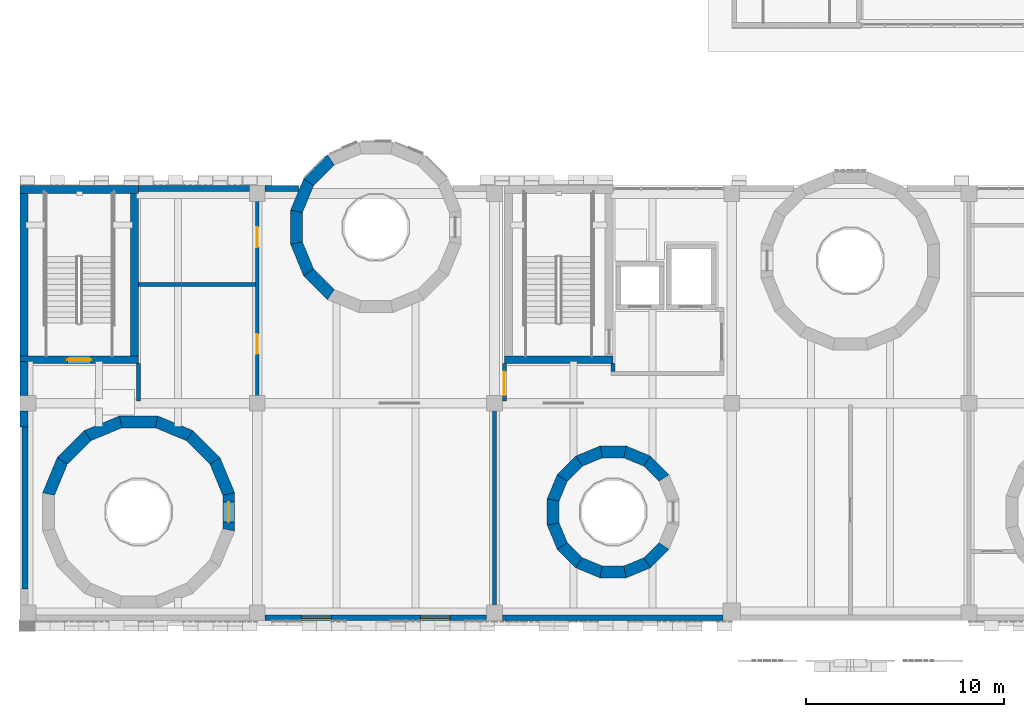
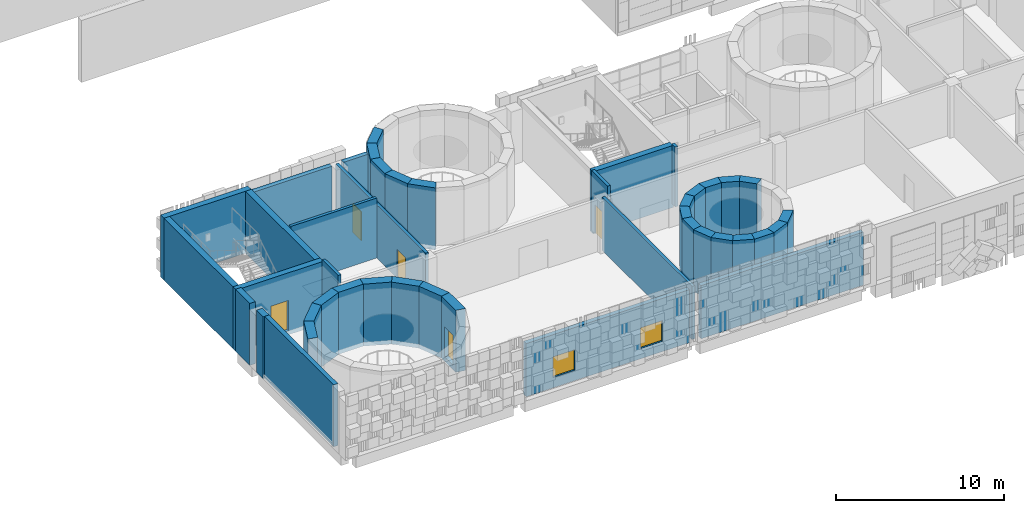
# One storey, part 46 of 92: 44 walls, 5 doors, 2 windows, 7 openings.
"""IFC4 building model written with IfcOpenShell, lengths in metres."""

from ifc_helpers import new_model, si_unit, direction, frame, frame_2d, origin, place, context, subcontext, project, spatial, polyline, rectangle, outline, extrude, material, layer, layer_set, type_object, element, fill, save


model = new_model("IFC4")

# Units and contexts
model_context = context("Model", 3, precision=1e-05, world=origin(), true_north=direction((0.0, 1.0)))
body_context = subcontext(model_context, "Body", "Model", "MODEL_VIEW")
ifc_project = project(units=[si_unit("LENGTHUNIT", "METRE"), si_unit("AREAUNIT", "SQUARE_METRE"), si_unit("VOLUMEUNIT", "CUBIC_METRE"), si_unit("PLANEANGLEUNIT", "RADIAN"), si_unit("MASSUNIT", "GRAM", prefix="KILO")], contexts=[model_context])

# Site, building, storey
site_placement = place(None, origin())
site = spatial("IfcSite", under=ifc_project, at=site_placement, CompositionType="ELEMENT")
building_placement = place(site_placement, origin())
building = spatial("IfcBuilding", under=site, at=building_placement, Name="Sun Court Science Centre", CompositionType="ELEMENT")
storey_placement = place(building_placement, frame((0.0, 0.0, 11.25)))
storey = spatial("IfcBuildingStorey", under=building, at=storey_placement, Name="L02", CompositionType="ELEMENT", Elevation=11.25)

# Wall
ifc_material_1 = material(Name="Clay masonry", Category="masonry")
ifc_layer_1 = layer(ifc_material_1, 0.300048828125)
ifc_layer_set_1 = layer_set([ifc_layer_1], Name="Clay masonry")
wall_type_1 = type_object("IfcWallType", Name="Clay masonry infill wall 300", PredefinedType="SOLIDWALL", material=ifc_layer_set_1)
wall_1_placement = place(storey_placement, frame((35.550048828125, 6.14990234375, 0.0), z_axis=(0.0, 0.0, 1.0), x_axis=(-1.0, 0.0, 0.0)))
element("IfcWall", 1, at=wall_1_placement, inside=storey, type_object=wall_type_1, Name="External infill wall L02 south face 04", PredefinedType="SOLIDWALL", context=body_context, shape_type="SweptSolid", body=[
    extrude(rectangle(XDim=11.150146484375, YDim=0.300048828125, at=frame_2d((5.5751953125, 0.0))), origin(), (0.0, 0.0, 1.0), 3.860107421875),
])

# Wall, openings, windows
wall_2_placement = place(storey_placement, frame((23.60009765625, 6.14990234375, 0.0), z_axis=(0.0, 0.0, 1.0), x_axis=(-1.0, 0.0, 0.0)))
wall_2 = element("IfcWall", 2, at=wall_2_placement, inside=storey, type_object=wall_type_1, Name="External infill wall L02 south face 05", PredefinedType="SOLIDWALL", context=body_context, shape_type="SweptSolid", body=[
    extrude(rectangle(XDim=11.2001953125, YDim=0.300048828125, at=frame_2d((5.60009765625, 0.0))), origin(), (0.0, 0.0, 1.0), 3.860107421875),
])
opening_1_placement = place(wall_2_placement, frame((7.85009765625, 0.0, 0.75)))
opening_1 = element("IfcOpeningElement", 3, at=opening_1_placement, cuts=wall_2, Name="Opening WN-L02-001", PredefinedType="OPENING", context=body_context, shape_type="SweptSolid", body=[
    extrude(rectangle(XDim=1.5, YDim=1.5, at=frame_2d((0.75, 0.75))), frame((0.0, 0.159912109375, 0.0), z_axis=(0.0, -1.0, 0.0), x_axis=(1.0, 0.0, 0.0)), (0.0, 0.0, 1.0), 0.320068359375),
])
opening_2_placement = place(wall_2_placement, frame((1.85009765625, 0.0, 0.75)))
opening_2 = element("IfcOpeningElement", 4, at=opening_2_placement, cuts=wall_2, Name="Opening WN-L02-002", PredefinedType="OPENING", context=body_context, shape_type="SweptSolid", body=[
    extrude(rectangle(XDim=1.5, YDim=1.5, at=frame_2d((0.75, 0.75))), frame((0.0, 0.159912109375, 0.0), z_axis=(0.0, -1.0, 0.0), x_axis=(1.0, 0.0, 0.0)), (0.0, 0.0, 1.0), 0.320068359375),
])
ifc_material_2 = material(Name="Aluminium frame, 6-12-6 glazing", Category="aluminium")
window_type = type_object("IfcWindowType", Name="Slot window 1500 x 1500", PartitioningType="SINGLE_PANEL", PredefinedType="WINDOW", material=ifc_material_2)
window_1_placement = place(opening_1_placement, origin())
window_1 = element("IfcWindow", 5, at=window_1_placement, inside=storey, type_object=window_type, Name="Window WN3 L02 south face 01", OverallHeight=1.5, OverallWidth=1.5, PartitioningType="SINGLE_PANEL", PredefinedType="WINDOW", context=body_context, shape_type="SweptSolid", body=[
    extrude(rectangle(XDim=1.5, YDim=1.5, at=frame_2d((0.75, 0.75))), frame((0.0, 0.030029296875, 0.0), z_axis=(0.0, -1.0, 0.0), x_axis=(1.0, 0.0, 0.0)), (0.0, 0.0, 1.0), 0.06005859375),
])
fill(opening_1, window_1)
window_2_placement = place(opening_2_placement, origin())
window_2 = element("IfcWindow", 6, at=window_2_placement, inside=storey, type_object=window_type, Name="Window WN3 L02 south face 02", OverallHeight=1.5, OverallWidth=1.5, PartitioningType="SINGLE_PANEL", PredefinedType="WINDOW", context=body_context, shape_type="SweptSolid", body=[
    extrude(rectangle(XDim=1.5, YDim=1.5, at=frame_2d((0.75, 0.75))), frame((0.0, 0.030029296875, 0.0), z_axis=(0.0, -1.0, 0.0), x_axis=(1.0, 0.0, 0.0)), (0.0, 0.0, 1.0), 0.06005859375),
])
fill(opening_2, window_2)

# Walls
wall_3_placement = place(storey_placement, frame((6.0, 27.85009765625, 0.0), z_axis=(0.0, 0.0, 1.0), x_axis=(1.0, 0.0, 0.0)))
element("IfcWall", 7, at=wall_3_placement, inside=storey, type_object=wall_type_1, Name="External infill wall L02 north face 01", PredefinedType="SOLIDWALL", context=body_context, shape_type="SweptSolid", body=[
    extrude(rectangle(XDim=5.60009765625, YDim=0.300048828125, at=frame_2d((2.800048828125, 0.0))), origin(), (0.0, 0.0, 1.0), 3.860107421875),
])
wall_4_placement = place(storey_placement, frame((12.39990234375, 27.85009765625, 0.0), z_axis=(0.0, 0.0, 1.0), x_axis=(1.0, 0.0, 0.0)))
element("IfcWall", 8, at=wall_4_placement, inside=storey, type_object=wall_type_1, Name="External infill wall L02 north face 02", PredefinedType="SOLIDWALL", context=body_context, shape_type="SweptSolid", body=[
    extrude(rectangle(XDim=1.674560546875, YDim=0.300048828125, at=frame_2d((0.83740234375, 0.0))), origin(), (0.0, 0.0, 1.0), 3.860107421875),
])
ifc_material_3 = material(Name="Concrete block", Category="concrete")
ifc_layer_2 = layer(ifc_material_3, 0.199951171875)
ifc_layer_set_2 = layer_set([ifc_layer_2], Name="Concrete block")
wall_type_2 = type_object("IfcWallType", Name="Partition 200 block EI60", PredefinedType="PARTITIONING", material=ifc_layer_set_2)
wall_5_placement = place(storey_placement, frame((30.0, 18.60009765625, 0.0), z_axis=(0.0, 0.0, 1.0), x_axis=(0.0, 1.0, 0.0)))
element("IfcWall", 9, at=wall_5_placement, inside=storey, type_object=wall_type_2, Name="L02 partition 018", PredefinedType="PARTITIONING", context=body_context, shape_type="SweptSolid", body=[
    extrude(rectangle(XDim=0.39794921875, YDim=0.199951171875, at=frame_2d((0.198974609375, 0.0))), origin(), (0.0, 0.0, 1.0), 4.35009765625),
])
ifc_material_4 = material(Name="Gypsum board")
ifc_layer_3 = layer(ifc_material_4, 0.199951171875)
ifc_layer_set_3 = layer_set([ifc_layer_3], Name="Gypsum board")
wall_type_3 = type_object("IfcWallType", Name="Partition 200 stud EI30", PredefinedType="PARTITIONING", material=ifc_layer_set_3)
wall_6_placement = place(storey_placement, frame((6.001953125, 23.0, 0.0), z_axis=(0.0, 0.0, 1.0), x_axis=(1.0, 0.0, 0.0)))
element("IfcWall", 10, at=wall_6_placement, inside=storey, type_object=wall_type_3, Name="L02 partition 007", PredefinedType="PARTITIONING", context=body_context, shape_type="SweptSolid", body=[
    extrude(rectangle(XDim=5.89794921875, YDim=0.199951171875, at=frame_2d((2.948974609375, 0.0))), origin(), (0.0, 0.0, 1.0), 4.35009765625),
])

# Wall, opening, door
wall_7_placement = place(storey_placement, frame((24.5, 18.998046875, 0.0), z_axis=(0.0, 0.0, 1.0), x_axis=(0.0, -1.0, 0.0)))
wall_7 = element("IfcWall", 11, at=wall_7_placement, inside=storey, type_object=wall_type_3, Name="L02 partition 019", PredefinedType="PARTITIONING", context=body_context, shape_type="SweptSolid", body=[
    extrude(rectangle(XDim=1.89794921875, YDim=0.199951171875, at=frame_2d((0.948974609375, 0.0))), origin(), (0.0, 0.0, 1.0), 4.35009765625),
])
opening_3_placement = place(wall_7_placement, frame((0.39697265625, 0.0, 0.0)))
opening_3 = element("IfcOpeningElement", 12, at=opening_3_placement, cuts=wall_7, Name="Opening D-L02-020", PredefinedType="OPENING", context=body_context, shape_type="SweptSolid", body=[
    extrude(rectangle(XDim=1.199951171875, YDim=2.10009765625, at=frame_2d((0.60009765625, 1.050048828125))), frame((0.0, 0.10986328125, 0.0), z_axis=(0.0, -1.0, 0.0), x_axis=(1.0, 0.0, 0.0)), (0.0, 0.0, 1.0), 0.219970703125),
])
ifc_material_5 = material(Name="Timber", Category="wood")
door_type_1 = type_object("IfcDoorType", Name="Door 1200x2100 single leaf", OperationType="NOTDEFINED", PredefinedType="DOOR", material=ifc_material_5)
door_1_placement = place(opening_3_placement, origin())
door_1 = element("IfcDoor", 13, at=door_1_placement, inside=storey, type_object=door_type_1, Name="Door D-L02-020", OperationType="SINGLE_SWING_LEFT", OverallHeight=2.10009765625, OverallWidth=1.199951171875, PredefinedType="DOOR", context=body_context, shape_type="SweptSolid", body=[
    extrude(rectangle(XDim=1.199951171875, YDim=2.10009765625, at=frame_2d((0.60009765625, 1.050048828125))), frame((0.0, 0.02490234375, 0.0), z_axis=(0.0, -1.0, 0.0), x_axis=(1.0, 0.0, 0.0)), (0.0, 0.0, 1.0), 0.050048828125),
])
fill(opening_3, door_1)

# Wall
wall_8_placement = place(storey_placement, frame((24.0, 6.199951171875, 0.0), z_axis=(0.0, 0.0, 1.0), x_axis=(0.0, 1.0, 0.0)))
element("IfcWall", 14, at=wall_8_placement, inside=storey, type_object=wall_type_3, Name="L02 partition 020", PredefinedType="PARTITIONING", context=body_context, shape_type="SweptSolid", body=[
    extrude(rectangle(XDim=10.699951171875, YDim=0.199951171875, at=frame_2d((5.35009765625, 0.0))), origin(), (0.0, 0.0, 1.0), 3.860107421875),
])

# Wall, openings, doors
wall_9_placement = place(storey_placement, frame((12.0, 17.10009765625, 0.0), z_axis=(0.0, 0.0, 1.0), x_axis=(0.0, 1.0, 0.0)))
wall_9 = element("IfcWall", 15, at=wall_9_placement, inside=storey, type_object=wall_type_3, Name="L02 partition 021", PredefinedType="PARTITIONING", context=body_context, shape_type="SweptSolid", body=[
    extrude(rectangle(XDim=10.699951171875, YDim=0.199951171875, at=frame_2d((5.35009765625, 0.0))), origin(), (0.0, 0.0, 1.0), 3.860107421875),
])
opening_4_placement = place(wall_9_placement, frame((2.39990234375, 0.0, 0.0)))
opening_4 = element("IfcOpeningElement", 16, at=opening_4_placement, cuts=wall_9, Name="Opening D-L02-013", PredefinedType="OPENING", context=body_context, shape_type="SweptSolid", body=[
    extrude(rectangle(XDim=1.0, YDim=2.10009765625, at=frame_2d((0.5, 1.050048828125))), frame((0.0, 0.10986328125, 0.0), z_axis=(0.0, -1.0, 0.0), x_axis=(1.0, 0.0, 0.0)), (0.0, 0.0, 1.0), 0.219970703125),
])
opening_5_placement = place(wall_9_placement, frame((7.800048828125, 0.0, 0.0)))
opening_5 = element("IfcOpeningElement", 17, at=opening_5_placement, cuts=wall_9, Name="Opening D-L02-014", PredefinedType="OPENING", context=body_context, shape_type="SweptSolid", body=[
    extrude(rectangle(XDim=1.0, YDim=2.10009765625, at=frame_2d((0.5, 1.050048828125))), frame((0.0, 0.10986328125, 0.0), z_axis=(0.0, -1.0, 0.0), x_axis=(1.0, 0.0, 0.0)), (0.0, 0.0, 1.0), 0.219970703125),
])
ifc_material_6 = material(Name="Timber", Category="wood")
door_type_2 = type_object("IfcDoorType", Name="Door 1000x2100 single leaf", OperationType="NOTDEFINED", PredefinedType="DOOR", material=ifc_material_6)
door_2_placement = place(opening_4_placement, origin())
door_2 = element("IfcDoor", 18, at=door_2_placement, inside=storey, type_object=door_type_2, Name="Door D-L02-013", OperationType="SINGLE_SWING_RIGHT", OverallHeight=2.10009765625, OverallWidth=1.0, PredefinedType="DOOR", context=body_context, shape_type="SweptSolid", body=[
    extrude(rectangle(XDim=1.0, YDim=2.10009765625, at=frame_2d((0.5, 1.050048828125))), frame((0.0, 0.02490234375, 0.0), z_axis=(0.0, -1.0, 0.0), x_axis=(1.0, 0.0, 0.0)), (0.0, 0.0, 1.0), 0.050048828125),
])
fill(opening_4, door_2)
door_3_placement = place(opening_5_placement, origin())
door_3 = element("IfcDoor", 19, at=door_3_placement, inside=storey, type_object=door_type_2, Name="Door D-L02-014", OperationType="SINGLE_SWING_LEFT", OverallHeight=2.10009765625, OverallWidth=1.0, PredefinedType="DOOR", context=body_context, shape_type="SweptSolid", body=[
    extrude(rectangle(XDim=1.0, YDim=2.10009765625, at=frame_2d((0.5, 1.050048828125))), frame((0.0, 0.02490234375, 0.0), z_axis=(0.0, -1.0, 0.0), x_axis=(1.0, 0.0, 0.0)), (0.0, 0.0, 1.0), 0.050048828125),
])
fill(opening_5, door_3)

# Walls
wall_10_placement = place(storey_placement, frame((6.0, 17.10009765625, 0.0), z_axis=(0.0, 0.0, 1.0), x_axis=(0.0, 1.0, 0.0)))
element("IfcWall", 20, at=wall_10_placement, inside=storey, type_object=wall_type_3, Name="L02 partition 022", PredefinedType="PARTITIONING", context=body_context, shape_type="SweptSolid", body=[
    extrude(rectangle(XDim=1.89794921875, YDim=0.199951171875, at=frame_2d((0.948974609375, 0.0))), origin(), (0.0, 0.0, 1.0), 4.35009765625),
])
ifc_material_7 = material(Name="Concrete C30/37", Category="concrete")
ifc_layer_4 = layer(ifc_material_7, 0.60009765625)
ifc_layer_set_4 = layer_set([ifc_layer_4], Name="Concrete C30/37")
wall_type_4 = type_object("IfcWallType", Name="RC cone ring wall 600", PredefinedType="SHEAR", material=ifc_layer_set_4)
wall_11_placement = place(storey_placement, frame((10.57763671875, 12.350830078125, -0.300048828125), z_axis=(0.0, 0.0, 1.0), x_axis=(-0.382630895081, 0.923901292417, 0.0)))
element("IfcWall", 21, at=wall_11_placement, inside=storey, type_object=wall_type_4, Name="Cone 1 ring wall L02 segment 1", PredefinedType="SHEAR", context=body_context, shape_type="SweptSolid", body=[
    extrude(outline(polyline([(0.0, -0.30029296875), (1.931396484375, -0.2998046875), (1.81201171875, 0.300048828125), (0.119140625, 0.300048828125), (0.0, -0.30029296875)])), origin(), (0.0, 0.0, 1.0), 4.5),
])
wall_12_placement = place(storey_placement, frame((9.903564453125, 14.037841796875, -0.300048828125), z_axis=(0.0, 0.0, 1.0), x_axis=(-0.707106781187, 0.707106781187, 0.0)))
element("IfcWall", 22, at=wall_12_placement, inside=storey, type_object=wall_type_4, Name="Cone 1 ring wall L02 segment 2", PredefinedType="SHEAR", context=body_context, shape_type="SweptSolid", body=[
    extrude(outline(polyline([(0.0, -0.300048828125), (1.931396484375, -0.300048828125), (1.81201171875, 0.2998046875), (0.119384765625, 0.2998046875), (0.0, -0.300048828125)])), origin(), (0.0, 0.0, 1.0), 4.5),
])
wall_13_placement = place(storey_placement, frame((8.63525390625, 15.338623046875, -0.300048828125), z_axis=(0.0, 0.0, 1.0), x_axis=(-0.923901292417, 0.382630895081, 0.0)))
element("IfcWall", 23, at=wall_13_placement, inside=storey, type_object=wall_type_4, Name="Cone 1 ring wall L02 segment 3", PredefinedType="SHEAR", context=body_context, shape_type="SweptSolid", body=[
    extrude(outline(polyline([(0.0, -0.2998046875), (1.931396484375, -0.30029296875), (1.812255859375, 0.300048828125), (0.119384765625, 0.300048828125), (0.0, -0.2998046875)])), origin(), (0.0, 0.0, 1.0), 4.5),
])
wall_14_placement = place(storey_placement, frame((6.965576171875, 16.054931640625, -0.300048828125), z_axis=(0.0, 0.0, 1.0), x_axis=(-1.0, 0.0, 0.0)))
element("IfcWall", 24, at=wall_14_placement, inside=storey, type_object=wall_type_4, Name="Cone 1 ring wall L02 segment 4", PredefinedType="SHEAR", context=body_context, shape_type="SweptSolid", body=[
    extrude(outline(polyline([(-0.000244140625, -0.300048828125), (1.931396484375, -0.300048828125), (1.811767578125, 0.300048828125), (0.119384765625, 0.300048828125), (-0.000244140625, -0.300048828125)])), origin(), (0.0, 0.0, 1.0), 4.5),
])
wall_15_placement = place(storey_placement, frame((5.149169921875, 16.07763671875, -0.300048828125), z_axis=(0.0, 0.0, 1.0), x_axis=(-0.923901292417, -0.382630895081, 0.0)))
element("IfcWall", 25, at=wall_15_placement, inside=storey, type_object=wall_type_4, Name="Cone 1 ring wall L02 segment 5", PredefinedType="SHEAR", context=body_context, shape_type="SweptSolid", body=[
    extrude(outline(polyline([(0.0, -0.30029296875), (1.931396484375, -0.2998046875), (1.81201171875, 0.300048828125), (0.119140625, 0.300048828125), (0.0, -0.30029296875)])), origin(), (0.0, 0.0, 1.0), 4.5),
])
wall_16_placement = place(storey_placement, frame((3.462158203125, 15.403564453125, -0.300048828125), z_axis=(0.0, 0.0, 1.0), x_axis=(-0.707106781187, -0.707106781187, 0.0)))
element("IfcWall", 26, at=wall_16_placement, inside=storey, type_object=wall_type_4, Name="Cone 1 ring wall L02 segment 6", PredefinedType="SHEAR", context=body_context, shape_type="SweptSolid", body=[
    extrude(outline(polyline([(0.0, -0.300048828125), (1.931396484375, -0.300048828125), (1.81201171875, 0.2998046875), (0.119384765625, 0.2998046875), (0.0, -0.300048828125)])), origin(), (0.0, 0.0, 1.0), 4.5),
])
wall_17_placement = place(storey_placement, frame((2.161376953125, 14.13525390625, -0.300048828125), z_axis=(0.0, 0.0, 1.0), x_axis=(-0.382630895081, -0.923901292417, 0.0)))
element("IfcWall", 27, at=wall_17_placement, inside=storey, type_object=wall_type_4, Name="Cone 1 ring wall L02 segment 7", PredefinedType="SHEAR", context=body_context, shape_type="SweptSolid", body=[
    extrude(outline(polyline([(0.0, -0.2998046875), (1.931396484375, -0.30029296875), (1.812255859375, 0.300048828125), (0.119384765625, 0.300048828125), (0.0, -0.2998046875)])), origin(), (0.0, 0.0, 1.0), 4.5),
])

# Wall, opening, door
wall_18_placement = place(storey_placement, frame((10.554931640625, 10.534423828125, -0.300048828125), z_axis=(0.0, 0.0, 1.0), x_axis=(0.0, 1.0, 0.0)))
wall_18 = element("IfcWall", 28, at=wall_18_placement, inside=storey, type_object=wall_type_4, Name="Cone 1 ring wall L02 segment 16", PredefinedType="SHEAR", context=body_context, shape_type="SweptSolid", body=[
    extrude(outline(polyline([(-0.000244140625, -0.300048828125), (1.931396484375, -0.300048828125), (1.811767578125, 0.300048828125), (0.119384765625, 0.300048828125), (-0.000244140625, -0.300048828125)])), origin(), (0.0, 0.0, 1.0), 4.5),
])
opening_6_placement = place(wall_18_placement, frame((0.465576171875, 0.0, 0.300048828125)))
opening_6 = element("IfcOpeningElement", 29, at=opening_6_placement, cuts=wall_18, Name="Opening D-L02-021", PredefinedType="OPENING", context=body_context, shape_type="SweptSolid", body=[
    extrude(rectangle(XDim=1.0, YDim=2.199951171875, at=frame_2d((0.5, 1.10009765625))), frame((0.0, 0.31005859375, 0.0), z_axis=(0.0, -1.0, 0.0), x_axis=(1.0, 0.0, 0.0)), (0.0, 0.0, 1.0), 0.6201171875),
])
ifc_material_8 = material(Name="Timber", Category="wood")
door_type_3 = type_object("IfcDoorType", Name="Door 1000x2200 single leaf", OperationType="NOTDEFINED", PredefinedType="DOOR", material=ifc_material_8)
door_4_placement = place(opening_6_placement, origin())
door_4 = element("IfcDoor", 30, at=door_4_placement, inside=storey, type_object=door_type_3, Name="Door D-L02-021", OperationType="SINGLE_SWING_LEFT", OverallHeight=2.199951171875, OverallWidth=1.0, PredefinedType="DOOR", context=body_context, shape_type="SweptSolid", body=[
    extrude(rectangle(XDim=1.0, YDim=2.199951171875, at=frame_2d((0.5, 1.10009765625))), frame((0.0, 0.02490234375, 0.0), z_axis=(0.0, -1.0, 0.0), x_axis=(1.0, 0.0, 0.0)), (0.0, 0.0, 1.0), 0.050048828125),
])
fill(opening_6, door_4)

# Walls
wall_19_placement = place(storey_placement, frame((15.767578125, 29.346435546875, -0.300048828125), z_axis=(0.0, 0.0, 1.0), x_axis=(-0.707035675874, -0.707177879349, 0.0)))
element("IfcWall", 31, at=wall_19_placement, inside=storey, type_object=wall_type_4, Name="Cone 2 ring wall L02 segment 6", PredefinedType="SHEAR", context=body_context, shape_type="SweptSolid", body=[
    extrude(outline(polyline([(0.0, -0.300048828125), (1.716796875, -0.300048828125), (1.59765625, 0.2998046875), (0.119384765625, 0.30029296875), (0.0, -0.300048828125)])), origin(), (0.0, 0.0, 1.0), 4.5),
])
wall_20_placement = place(storey_placement, frame((14.61865234375, 28.229736328125, -0.300048828125), z_axis=(0.0, 0.0, 1.0), x_axis=(-0.382665770144, -0.923886848245, 0.0)))
element("IfcWall", 32, at=wall_20_placement, inside=storey, type_object=wall_type_4, Name="Cone 2 ring wall L02 segment 7", PredefinedType="SHEAR", context=body_context, shape_type="SweptSolid", body=[
    extrude(outline(polyline([(0.0, -0.2998046875), (1.716796875, -0.2998046875), (1.59765625, 0.300048828125), (0.119384765625, 0.300048828125), (0.0, -0.2998046875)])), origin(), (0.0, 0.0, 1.0), 4.5),
])
wall_21_placement = place(storey_placement, frame((13.984619140625, 26.75830078125, -0.300048828125), z_axis=(0.0, 0.0, 1.0), x_axis=(0.0, -1.0, 0.0)))
element("IfcWall", 33, at=wall_21_placement, inside=storey, type_object=wall_type_4, Name="Cone 2 ring wall L02 segment 8", PredefinedType="SHEAR", context=body_context, shape_type="SweptSolid", body=[
    extrude(outline(polyline([(0.0, -0.300048828125), (1.716796875, -0.300048828125), (1.597412109375, 0.2998046875), (0.119384765625, 0.2998046875), (0.0, -0.300048828125)])), origin(), (0.0, 0.0, 1.0), 4.5),
])
wall_22_placement = place(storey_placement, frame((13.961669921875, 25.156494140625, -0.300048828125), z_axis=(0.0, 0.0, 1.0), x_axis=(0.382665770144, -0.923886848245, 0.0)))
element("IfcWall", 34, at=wall_22_placement, inside=storey, type_object=wall_type_4, Name="Cone 2 ring wall L02 segment 9", PredefinedType="SHEAR", context=body_context, shape_type="SweptSolid", body=[
    extrude(outline(polyline([(0.000244140625, -0.300048828125), (1.716796875, -0.2998046875), (1.597412109375, 0.300048828125), (0.119384765625, 0.2998046875), (0.000244140625, -0.300048828125)])), origin(), (0.0, 0.0, 1.0), 4.5),
])
wall_23_placement = place(storey_placement, frame((14.5537109375, 23.667724609375, -0.300048828125), z_axis=(0.0, 0.0, 1.0), x_axis=(0.707035675874, -0.707177879349, 0.0)))
element("IfcWall", 35, at=wall_23_placement, inside=storey, type_object=wall_type_4, Name="Cone 2 ring wall L02 segment 10", PredefinedType="SHEAR", context=body_context, shape_type="SweptSolid", body=[
    extrude(outline(polyline([(0.0, -0.300048828125), (1.716796875, -0.300048828125), (1.597412109375, 0.30029296875), (0.119140625, 0.2998046875), (0.0, -0.300048828125)])), origin(), (0.0, 0.0, 1.0), 4.5),
])
wall_24_placement = place(storey_placement, frame((32.61474609375, 13.1767578125, -0.300048828125), z_axis=(0.0, 0.0, 1.0), x_axis=(-0.707106781187, 0.707106781187, 0.0)))
element("IfcWall", 36, at=wall_24_placement, inside=storey, type_object=wall_type_4, Name="Cone 3 ring wall L02 segment 2", PredefinedType="SHEAR", context=body_context, shape_type="SweptSolid", body=[
    extrude(outline(polyline([(0.0, -0.300048828125), (1.326416015625, -0.300048828125), (1.207275390625, 0.2998046875), (0.119384765625, 0.2998046875), (0.0, -0.300048828125)])), origin(), (0.0, 0.0, 1.0), 4.5),
])
wall_25_placement = place(storey_placement, frame((31.774169921875, 14.0498046875, -0.300048828125), z_axis=(0.0, 0.0, 1.0), x_axis=(-0.923837370253, 0.382785205205, 0.0)))
element("IfcWall", 37, at=wall_25_placement, inside=storey, type_object=wall_type_4, Name="Cone 3 ring wall L02 segment 3", PredefinedType="SHEAR", context=body_context, shape_type="SweptSolid", body=[
    extrude(outline(polyline([(0.0, -0.2998046875), (1.32666015625, -0.2998046875), (1.207275390625, 0.30029296875), (0.119384765625, 0.300048828125), (0.0, -0.2998046875)])), origin(), (0.0, 0.0, 1.0), 4.5),
])
wall_26_placement = place(storey_placement, frame((30.663330078125, 14.53466796875, -0.300048828125), z_axis=(0.0, 0.0, 1.0), x_axis=(-1.0, 0.0, 0.0)))
element("IfcWall", 38, at=wall_26_placement, inside=storey, type_object=wall_type_4, Name="Cone 3 ring wall L02 segment 4", PredefinedType="SHEAR", context=body_context, shape_type="SweptSolid", body=[
    extrude(outline(polyline([(0.0, -0.300048828125), (1.32666015625, -0.300048828125), (1.207275390625, 0.300048828125), (0.119384765625, 0.300048828125), (0.0, -0.300048828125)])), origin(), (0.0, 0.0, 1.0), 4.5),
])
wall_27_placement = place(storey_placement, frame((29.451416015625, 14.5576171875, -0.300048828125), z_axis=(0.0, 0.0, 1.0), x_axis=(-0.923837370253, -0.382785205205, 0.0)))
element("IfcWall", 39, at=wall_27_placement, inside=storey, type_object=wall_type_4, Name="Cone 3 ring wall L02 segment 5", PredefinedType="SHEAR", context=body_context, shape_type="SweptSolid", body=[
    extrude(outline(polyline([(0.0, -0.2998046875), (1.32666015625, -0.2998046875), (1.207275390625, 0.300048828125), (0.119384765625, 0.30029296875), (0.0, -0.2998046875)])), origin(), (0.0, 0.0, 1.0), 4.5),
])
wall_28_placement = place(storey_placement, frame((28.3232421875, 14.11474609375, -0.300048828125), z_axis=(0.0, 0.0, 1.0), x_axis=(-0.707106781187, -0.707106781187, 0.0)))
element("IfcWall", 40, at=wall_28_placement, inside=storey, type_object=wall_type_4, Name="Cone 3 ring wall L02 segment 6", PredefinedType="SHEAR", context=body_context, shape_type="SweptSolid", body=[
    extrude(outline(polyline([(0.0, -0.300048828125), (1.326416015625, -0.300048828125), (1.207275390625, 0.2998046875), (0.119384765625, 0.2998046875), (0.0, -0.300048828125)])), origin(), (0.0, 0.0, 1.0), 4.5),
])
wall_29_placement = place(storey_placement, frame((27.4501953125, 13.274169921875, -0.300048828125), z_axis=(0.0, 0.0, 1.0), x_axis=(-0.382785205205, -0.923837370253, 0.0)))
element("IfcWall", 41, at=wall_29_placement, inside=storey, type_object=wall_type_4, Name="Cone 3 ring wall L02 segment 7", PredefinedType="SHEAR", context=body_context, shape_type="SweptSolid", body=[
    extrude(outline(polyline([(0.0, -0.2998046875), (1.32666015625, -0.2998046875), (1.207275390625, 0.30029296875), (0.119384765625, 0.300048828125), (0.0, -0.2998046875)])), origin(), (0.0, 0.0, 1.0), 4.5),
])
wall_30_placement = place(storey_placement, frame((26.96533203125, 12.163330078125, -0.300048828125), z_axis=(0.0, 0.0, 1.0), x_axis=(0.0, -1.0, 0.0)))
element("IfcWall", 42, at=wall_30_placement, inside=storey, type_object=wall_type_4, Name="Cone 3 ring wall L02 segment 8", PredefinedType="SHEAR", context=body_context, shape_type="SweptSolid", body=[
    extrude(outline(polyline([(0.0, -0.300048828125), (1.32666015625, -0.300048828125), (1.207275390625, 0.300048828125), (0.119384765625, 0.300048828125), (0.0, -0.300048828125)])), origin(), (0.0, 0.0, 1.0), 4.5),
])
wall_31_placement = place(storey_placement, frame((26.9423828125, 10.951416015625, -0.300048828125), z_axis=(0.0, 0.0, 1.0), x_axis=(0.382785205205, -0.923837370253, 0.0)))
element("IfcWall", 43, at=wall_31_placement, inside=storey, type_object=wall_type_4, Name="Cone 3 ring wall L02 segment 9", PredefinedType="SHEAR", context=body_context, shape_type="SweptSolid", body=[
    extrude(outline(polyline([(0.0, -0.2998046875), (1.32666015625, -0.2998046875), (1.207275390625, 0.300048828125), (0.119384765625, 0.30029296875), (0.0, -0.2998046875)])), origin(), (0.0, 0.0, 1.0), 4.5),
])
wall_32_placement = place(storey_placement, frame((27.38525390625, 9.8232421875, -0.300048828125), z_axis=(0.0, 0.0, 1.0), x_axis=(0.707106781187, -0.707106781187, 0.0)))
element("IfcWall", 44, at=wall_32_placement, inside=storey, type_object=wall_type_4, Name="Cone 3 ring wall L02 segment 10", PredefinedType="SHEAR", context=body_context, shape_type="SweptSolid", body=[
    extrude(outline(polyline([(0.0, -0.300048828125), (1.326416015625, -0.300048828125), (1.207275390625, 0.2998046875), (0.119384765625, 0.2998046875), (0.0, -0.300048828125)])), origin(), (0.0, 0.0, 1.0), 4.5),
])
wall_33_placement = place(storey_placement, frame((28.225830078125, 8.9501953125, -0.300048828125), z_axis=(0.0, 0.0, 1.0), x_axis=(0.923837370253, -0.382785205205, 0.0)))
element("IfcWall", 45, at=wall_33_placement, inside=storey, type_object=wall_type_4, Name="Cone 3 ring wall L02 segment 11", PredefinedType="SHEAR", context=body_context, shape_type="SweptSolid", body=[
    extrude(outline(polyline([(0.0, -0.2998046875), (1.32666015625, -0.2998046875), (1.207275390625, 0.30029296875), (0.119384765625, 0.300048828125), (0.0, -0.2998046875)])), origin(), (0.0, 0.0, 1.0), 4.5),
])
wall_34_placement = place(storey_placement, frame((29.336669921875, 8.46533203125, -0.300048828125), z_axis=(0.0, 0.0, 1.0), x_axis=(1.0, 0.0, 0.0)))
element("IfcWall", 46, at=wall_34_placement, inside=storey, type_object=wall_type_4, Name="Cone 3 ring wall L02 segment 12", PredefinedType="SHEAR", context=body_context, shape_type="SweptSolid", body=[
    extrude(outline(polyline([(0.0, -0.300048828125), (1.32666015625, -0.300048828125), (1.207275390625, 0.300048828125), (0.119384765625, 0.300048828125), (0.0, -0.300048828125)])), origin(), (0.0, 0.0, 1.0), 4.5),
])
wall_35_placement = place(storey_placement, frame((30.548583984375, 8.4423828125, -0.300048828125), z_axis=(0.0, 0.0, 1.0), x_axis=(0.923837370253, 0.382785205205, 0.0)))
element("IfcWall", 47, at=wall_35_placement, inside=storey, type_object=wall_type_4, Name="Cone 3 ring wall L02 segment 13", PredefinedType="SHEAR", context=body_context, shape_type="SweptSolid", body=[
    extrude(outline(polyline([(0.0, -0.2998046875), (1.32666015625, -0.2998046875), (1.207275390625, 0.300048828125), (0.119384765625, 0.30029296875), (0.0, -0.2998046875)])), origin(), (0.0, 0.0, 1.0), 4.5),
])
wall_36_placement = place(storey_placement, frame((31.6767578125, 8.88525390625, -0.300048828125), z_axis=(0.0, 0.0, 1.0), x_axis=(0.707106781187, 0.707106781187, 0.0)))
element("IfcWall", 48, at=wall_36_placement, inside=storey, type_object=wall_type_4, Name="Cone 3 ring wall L02 segment 14", PredefinedType="SHEAR", context=body_context, shape_type="SweptSolid", body=[
    extrude(outline(polyline([(0.0, -0.300048828125), (1.326416015625, -0.300048828125), (1.207275390625, 0.2998046875), (0.119384765625, 0.2998046875), (0.0, -0.300048828125)])), origin(), (0.0, 0.0, 1.0), 4.5),
])
ifc_material_9 = material(Name="Concrete C30/37", Category="concrete")
ifc_layer_5 = layer(ifc_material_9, 0.39990234375)
ifc_layer_set_5 = layer_set([ifc_layer_5], Name="Concrete C30/37")
wall_type_5 = type_object("IfcWallType", Name="RC party wall exterior 400", PredefinedType="SOLIDWALL", material=ifc_layer_set_5)
wall_37_placement = place(storey_placement, frame((0.199951171875, 15.800048828125, -0.300048828125), z_axis=(0.0, 0.0, 1.0), x_axis=(0.0, 1.0, 0.0)))
element("IfcWall", 49, at=wall_37_placement, inside=storey, type_object=wall_type_5, Name="West party wall L02", PredefinedType="SOLIDWALL", context=body_context, shape_type="SweptSolid", body=[
    extrude(rectangle(XDim=0.800048828125, YDim=0.39990234375, at=frame_2d((0.39990234375, 0.0))), origin(), (0.0, 0.0, 1.0), 4.5),
])
wall_38_placement = place(storey_placement, frame((0.199951171875, 17.39990234375, -0.300048828125), z_axis=(0.0, 0.0, 1.0), x_axis=(0.0, 1.0, 0.0)))
element("IfcWall", 50, at=wall_38_placement, inside=storey, type_object=wall_type_5, Name="West party wall L02", PredefinedType="SOLIDWALL", context=body_context, shape_type="SweptSolid", body=[
    extrude(rectangle(XDim=1.7001953125, YDim=0.39990234375, at=frame_2d((0.85009765625, 0.0))), origin(), (0.0, 0.0, 1.0), 4.5),
])
ifc_material_10 = material(Name="Concrete C30/37", Category="concrete")
ifc_layer_6 = layer(ifc_material_10, 0.300048828125)
ifc_layer_set_6 = layer_set([ifc_layer_6], Name="Concrete C30/37")
wall_type_6 = type_object("IfcWallType", Name="RC party wall panel exterior 300", PredefinedType="SOLIDWALL", material=ifc_layer_set_6)
wall_39_placement = place(storey_placement, frame((0.25, 7.60009765625, -0.300048828125), z_axis=(0.0, 0.0, 1.0), x_axis=(0.0, 1.0, 0.0)))
element("IfcWall", 51, at=wall_39_placement, inside=storey, type_object=wall_type_6, Name="West party wall L02 panel", PredefinedType="SOLIDWALL", context=body_context, shape_type="SweptSolid", body=[
    extrude(rectangle(XDim=8.199951171875, YDim=0.300048828125, at=frame_2d((4.10009765625, 0.0))), origin(), (0.0, 0.0, 1.0), 4.5),
])

# Wall, opening, door
ifc_material_11 = material(Name="Concrete C30/37", Category="concrete")
ifc_layer_7 = layer(ifc_material_11, 0.39990234375)
ifc_layer_set_7 = layer_set([ifc_layer_7], Name="Concrete C30/37")
wall_type_7 = type_object("IfcWallType", Name="RC stair core wall 400", PredefinedType="SHEAR", material=ifc_layer_set_7)
wall_40_placement = place(storey_placement, frame((0.0, 19.199951171875, -0.300048828125), z_axis=(0.0, 0.0, 1.0), x_axis=(1.0, 0.0, 0.0)))
wall_40 = element("IfcWall", 52, at=wall_40_placement, inside=storey, type_object=wall_type_7, Name="Stair core SB1 wall S, L02", PredefinedType="SHEAR", context=body_context, shape_type="SweptSolid", body=[
    extrude(rectangle(XDim=6.0, YDim=0.39990234375, at=frame_2d((3.0, 0.0))), origin(), (0.0, 0.0, 1.0), 4.5),
])
opening_7_placement = place(wall_40_placement, frame((2.39892578125, 0.0, 0.300048828125)))
opening_7 = element("IfcOpeningElement", 53, at=opening_7_placement, cuts=wall_40, Name="Opening D-L02-006", PredefinedType="OPENING", context=body_context, shape_type="SweptSolid", body=[
    extrude(rectangle(XDim=1.199951171875, YDim=2.199951171875, at=frame_2d((0.60009765625, 1.10009765625))), frame((0.0, 0.2099609375, 0.0), z_axis=(0.0, -1.0, 0.0), x_axis=(1.0, 0.0, 0.0)), (0.0, 0.0, 1.0), 0.419921875),
])
ifc_material_12 = material(Name="Steel", Category="steel")
door_type_4 = type_object("IfcDoorType", Name="Door 1200x2200 single leaf FD60", OperationType="NOTDEFINED", PredefinedType="DOOR", material=ifc_material_12)
door_5_placement = place(opening_7_placement, origin())
door_5 = element("IfcDoor", 54, at=door_5_placement, inside=storey, type_object=door_type_4, Name="Door D-L02-006", OperationType="SINGLE_SWING_RIGHT", OverallHeight=2.199951171875, OverallWidth=1.199951171875, PredefinedType="DOOR", context=body_context, shape_type="SweptSolid", body=[
    extrude(rectangle(XDim=1.199951171875, YDim=2.199951171875, at=frame_2d((0.60009765625, 1.10009765625))), frame((0.0, 0.02490234375, 0.0), z_axis=(0.0, -1.0, 0.0), x_axis=(1.0, 0.0, 0.0)), (0.0, 0.0, 1.0), 0.050048828125),
])
fill(opening_7, door_5)

# Walls
wall_41_placement = place(storey_placement, frame((5.800048828125, 19.39990234375, -0.300048828125), z_axis=(0.0, 0.0, 1.0), x_axis=(0.0, 1.0, 0.0)))
element("IfcWall", 55, at=wall_41_placement, inside=storey, type_object=wall_type_7, Name="Stair core SB1 wall E, L02", PredefinedType="SHEAR", context=body_context, shape_type="SweptSolid", body=[
    extrude(rectangle(XDim=8.2001953125, YDim=0.39990234375, at=frame_2d((4.10009765625, 0.0))), origin(), (0.0, 0.0, 1.0), 4.5),
])
wall_42_placement = place(storey_placement, frame((0.0, 27.800048828125, -0.300048828125), z_axis=(0.0, 0.0, 1.0), x_axis=(1.0, 0.0, 0.0)))
element("IfcWall", 56, at=wall_42_placement, inside=storey, type_object=wall_type_7, Name="Stair core SB1 wall N, L02", PredefinedType="SHEAR", context=body_context, shape_type="SweptSolid", body=[
    extrude(rectangle(XDim=6.0, YDim=0.39990234375, at=frame_2d((3.0, 0.0))), origin(), (0.0, 0.0, 1.0), 4.5),
])
wall_43_placement = place(storey_placement, frame((0.199951171875, 19.39990234375, -0.300048828125), z_axis=(0.0, 0.0, 1.0), x_axis=(0.0, 1.0, 0.0)))
element("IfcWall", 57, at=wall_43_placement, inside=storey, type_object=wall_type_7, Name="Stair core SB1 wall W, L02", PredefinedType="SHEAR", context=body_context, shape_type="SweptSolid", body=[
    extrude(rectangle(XDim=8.2001953125, YDim=0.39990234375, at=frame_2d((4.10009765625, 0.0))), origin(), (0.0, 0.0, 1.0), 4.5),
])
wall_44_placement = place(storey_placement, frame((24.5, 19.199951171875, -0.300048828125), z_axis=(0.0, 0.0, 1.0), x_axis=(1.0, 0.0, 0.0)))
element("IfcWall", 58, at=wall_44_placement, inside=storey, type_object=wall_type_7, Name="Stair core SB2 wall S, L02", PredefinedType="SHEAR", context=body_context, shape_type="SweptSolid", body=[
    extrude(rectangle(XDim=5.5, YDim=0.39990234375, at=frame_2d((2.75, 0.0))), origin(), (0.0, 0.0, 1.0), 4.5),
])

save(model, "model.ifc")
